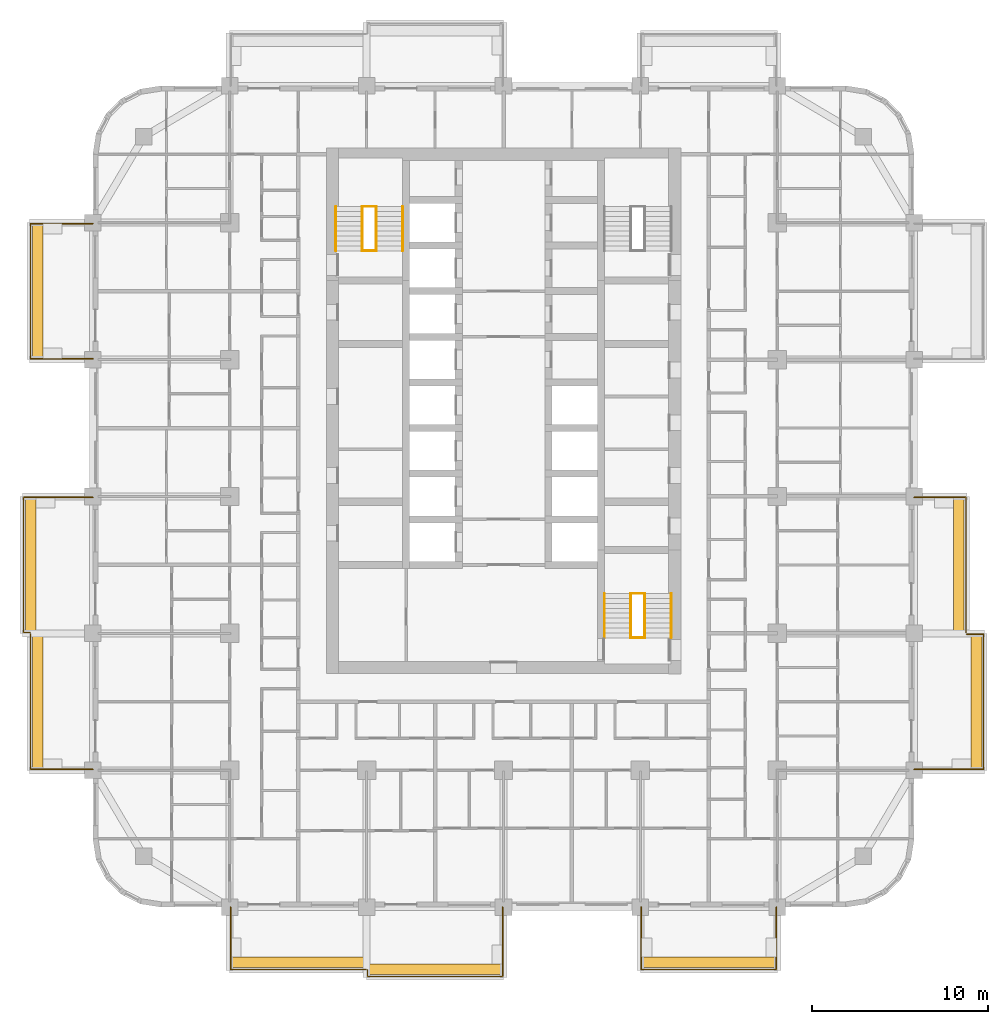
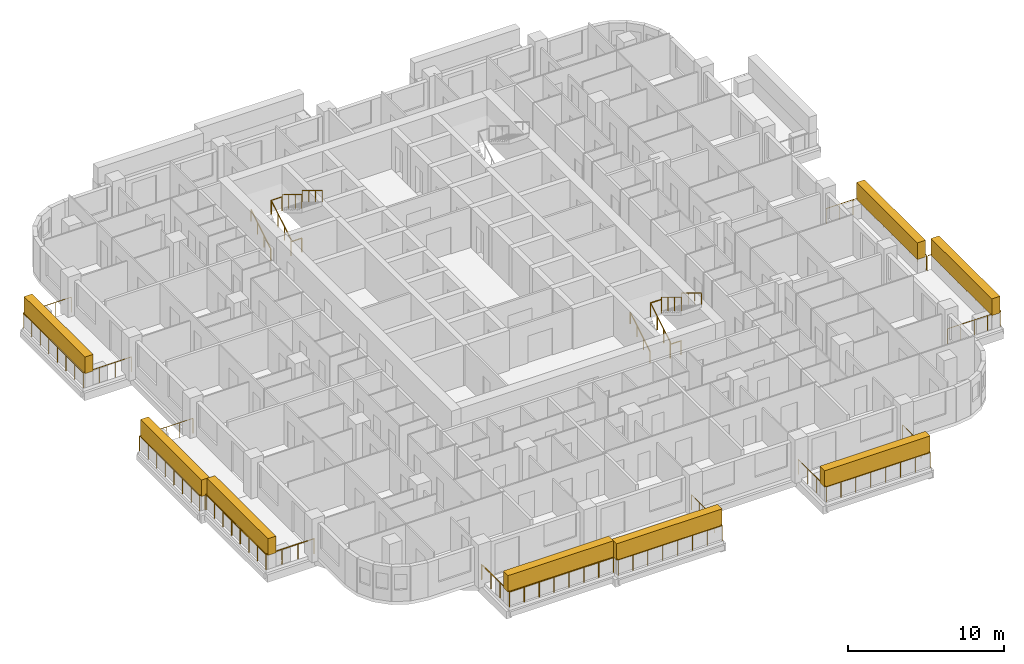
# One storey, part 17 of 18: 20 railings, 8 coverings, 2 elements without a shape of their own.
"""IFC4 building model written with IfcOpenShell, lengths in metres."""

from ifc_helpers import new_model, si_unit, direction, frame, origin, origin_2d, place, context, subcontext, project, spatial, rectangle, circle, extrude, material, layer, layer_set, type_object, element, aggregate, save


model = new_model("IFC4")

# Units and contexts
model_context = context("Model", 3, precision=1e-05, world=origin(), true_north=direction((0.0, 1.0)))
body_context = subcontext(model_context, "Body", "Model", "MODEL_VIEW")
ifc_project = project(units=[si_unit("LENGTHUNIT", "METRE"), si_unit("AREAUNIT", "SQUARE_METRE"), si_unit("VOLUMEUNIT", "CUBIC_METRE"), si_unit("PLANEANGLEUNIT", "RADIAN"), si_unit("MASSUNIT", "GRAM", prefix="KILO")], contexts=[model_context])

# Site, building, storey
site_placement = place(None, origin())
site = spatial("IfcSite", under=ifc_project, at=site_placement, CompositionType="ELEMENT")
building_placement = place(site_placement, origin())
building = spatial("IfcBuilding", under=site, at=building_placement, Name="Ludao Terraces", CompositionType="ELEMENT")
storey_placement = place(building_placement, frame((0.0, 0.0, 61.39990234375)))
storey = spatial("IfcBuildingStorey", under=building, at=storey_placement, Name="L16", CompositionType="ELEMENT", Elevation=61.39990234375)

# Railings
ifc_material_1 = material(Name="Stainless steel 304", Category="steel")
railing_type_1 = type_object("IfcRailingType", Name="ENV Balcony glass guard 1200", PredefinedType="GUARDRAIL", material=ifc_material_1)
railing_1_placement = place(storey_placement, frame((69.449951171875, 41.60009765625, 0.0)))
element("IfcRailing", 1, at=railing_1_placement, inside=storey, type_object=railing_type_1, Name="Balcony guard L16 S1", PredefinedType="GUARDRAIL", context=body_context, shape_type="SweptSolid", body=[
    extrude(circle(Radius=0.02392578125, at=origin_2d()), frame((0.0, 0.0, 1.17578125), z_axis=(0.0, -1.0, 0.0), x_axis=(1.0, 0.0, 0.0)), (0.0, 0.0, 1.0), 3.550048828125),
    extrude(circle(Radius=0.02392578125, at=origin_2d()), frame((0.0, -3.550048828125, 1.17578125), z_axis=(1.0, 0.0, 0.0), x_axis=(0.0, 1.0, 0.0)), (0.0, 0.0, 1.0), 7.699951171875),
    extrude(circle(Radius=0.02099609375, at=origin_2d()), origin(), (0.0, 0.0, 1.0), 1.15185546875),
    extrude(circle(Radius=0.02099609375, at=origin_2d()), frame((0.0, -1.183349609375, 0.0)), (0.0, 0.0, 1.0), 1.15185546875),
    extrude(circle(Radius=0.02099609375, at=origin_2d()), frame((0.0, -2.36669921875, 0.0)), (0.0, 0.0, 1.0), 1.15185546875),
    extrude(circle(Radius=0.02099609375, at=origin_2d()), frame((0.0, -3.550048828125, 0.0)), (0.0, 0.0, 1.0), 1.15185546875),
    extrude(circle(Radius=0.02099609375, at=origin_2d()), frame((1.10009765625, -3.550048828125, 0.0)), (0.0, 0.0, 1.0), 1.15185546875),
    extrude(circle(Radius=0.02099609375, at=origin_2d()), frame((2.199951171875, -3.550048828125, 0.0)), (0.0, 0.0, 1.0), 1.15185546875),
    extrude(circle(Radius=0.02099609375, at=origin_2d()), frame((3.300048828125, -3.550048828125, 0.0)), (0.0, 0.0, 1.0), 1.15185546875),
    extrude(circle(Radius=0.02099609375, at=origin_2d()), frame((4.39990234375, -3.550048828125, 0.0)), (0.0, 0.0, 1.0), 1.15185546875),
    extrude(circle(Radius=0.02099609375, at=origin_2d()), frame((5.5, -3.550048828125, 0.0)), (0.0, 0.0, 1.0), 1.15185546875),
    extrude(circle(Radius=0.02099609375, at=origin_2d()), frame((6.599853515625, -3.550048828125, 0.0)), (0.0, 0.0, 1.0), 1.15185546875),
    extrude(circle(Radius=0.02099609375, at=origin_2d()), frame((7.699951171875, -3.550048828125, 0.0)), (0.0, 0.0, 1.0), 1.15185546875),
])
railing_2_placement = place(storey_placement, frame((77.25, 38.0, 0.0)))
element("IfcRailing", 2, at=railing_2_placement, inside=storey, type_object=railing_type_1, Name="Balcony guard L16 S2", PredefinedType="GUARDRAIL", context=body_context, shape_type="SweptSolid", body=[
    extrude(circle(Radius=0.02392578125, at=origin_2d()), frame((0.0, 0.0, 1.17578125), z_axis=(0.0, -1.0, 0.0), x_axis=(1.0, 0.0, 0.0)), (0.0, 0.0, 1.0), 0.35009765625),
    extrude(circle(Radius=0.02392578125, at=origin_2d()), frame((0.0, -0.35009765625, 1.17578125), z_axis=(1.0, 0.0, 0.0), x_axis=(0.0, 1.0, 0.0)), (0.0, 0.0, 1.0), 7.699951171875),
    extrude(circle(Radius=0.02392578125, at=origin_2d()), frame((7.699951171875, -0.35009765625, 1.17578125), z_axis=(0.0, 1.0, 0.0), x_axis=(-1.0, 0.0, 0.0)), (0.0, 0.0, 1.0), 3.9501953125),
    extrude(circle(Radius=0.02099609375, at=origin_2d()), origin(), (0.0, 0.0, 1.0), 1.15185546875),
    extrude(circle(Radius=0.02099609375, at=origin_2d()), frame((0.0, -0.35009765625, 0.0)), (0.0, 0.0, 1.0), 1.15185546875),
    extrude(circle(Radius=0.02099609375, at=origin_2d()), frame((1.10009765625, -0.35009765625, 0.0)), (0.0, 0.0, 1.0), 1.15185546875),
    extrude(circle(Radius=0.02099609375, at=origin_2d()), frame((2.199951171875, -0.35009765625, 0.0)), (0.0, 0.0, 1.0), 1.15185546875),
    extrude(circle(Radius=0.02099609375, at=origin_2d()), frame((3.300048828125, -0.35009765625, 0.0)), (0.0, 0.0, 1.0), 1.15185546875),
    extrude(circle(Radius=0.02099609375, at=origin_2d()), frame((4.39990234375, -0.35009765625, 0.0)), (0.0, 0.0, 1.0), 1.15185546875),
    extrude(circle(Radius=0.02099609375, at=origin_2d()), frame((5.5, -0.35009765625, 0.0)), (0.0, 0.0, 1.0), 1.15185546875),
    extrude(circle(Radius=0.02099609375, at=origin_2d()), frame((6.599853515625, -0.35009765625, 0.0)), (0.0, 0.0, 1.0), 1.15185546875),
    extrude(circle(Radius=0.02099609375, at=origin_2d()), frame((7.699951171875, -0.35009765625, 0.0)), (0.0, 0.0, 1.0), 1.15185546875),
    extrude(circle(Radius=0.02099609375, at=origin_2d()), frame((7.699951171875, 0.637451171875, 0.0)), (0.0, 0.0, 1.0), 1.15185546875),
    extrude(circle(Radius=0.02099609375, at=origin_2d()), frame((7.699951171875, 1.625, 0.0)), (0.0, 0.0, 1.0), 1.15185546875),
    extrude(circle(Radius=0.02099609375, at=origin_2d()), frame((7.699951171875, 2.612548828125, 0.0)), (0.0, 0.0, 1.0), 1.15185546875),
    extrude(circle(Radius=0.02099609375, at=origin_2d()), frame((7.699951171875, 3.60009765625, 0.0)), (0.0, 0.0, 1.0), 1.15185546875),
])
railing_3_placement = place(storey_placement, frame((92.85009765625, 41.60009765625, 0.0)))
element("IfcRailing", 3, at=railing_3_placement, inside=storey, type_object=railing_type_1, Name="Balcony guard L16 S4", PredefinedType="GUARDRAIL", context=body_context, shape_type="SweptSolid", body=[
    extrude(circle(Radius=0.02392578125, at=origin_2d()), frame((0.0, 0.0, 1.17578125), z_axis=(0.0, -1.0, 0.0), x_axis=(1.0, 0.0, 0.0)), (0.0, 0.0, 1.0), 3.550048828125),
    extrude(circle(Radius=0.02392578125, at=origin_2d()), frame((0.0, -3.550048828125, 1.17578125), z_axis=(1.0, 0.0, 0.0), x_axis=(0.0, 1.0, 0.0)), (0.0, 0.0, 1.0), 7.699951171875),
    extrude(circle(Radius=0.02392578125, at=origin_2d()), frame((7.699951171875, -3.550048828125, 1.17578125), z_axis=(0.0, 1.0, 0.0), x_axis=(-1.0, 0.0, 0.0)), (0.0, 0.0, 1.0), 3.550048828125),
    extrude(circle(Radius=0.02099609375, at=origin_2d()), origin(), (0.0, 0.0, 1.0), 1.15185546875),
    extrude(circle(Radius=0.02099609375, at=origin_2d()), frame((0.0, -1.183349609375, 0.0)), (0.0, 0.0, 1.0), 1.15185546875),
    extrude(circle(Radius=0.02099609375, at=origin_2d()), frame((0.0, -2.36669921875, 0.0)), (0.0, 0.0, 1.0), 1.15185546875),
    extrude(circle(Radius=0.02099609375, at=origin_2d()), frame((0.0, -3.550048828125, 0.0)), (0.0, 0.0, 1.0), 1.15185546875),
    extrude(circle(Radius=0.02099609375, at=origin_2d()), frame((1.10009765625, -3.550048828125, 0.0)), (0.0, 0.0, 1.0), 1.15185546875),
    extrude(circle(Radius=0.02099609375, at=origin_2d()), frame((2.199951171875, -3.550048828125, 0.0)), (0.0, 0.0, 1.0), 1.15185546875),
    extrude(circle(Radius=0.02099609375, at=origin_2d()), frame((3.300048828125, -3.550048828125, 0.0)), (0.0, 0.0, 1.0), 1.15185546875),
    extrude(circle(Radius=0.02099609375, at=origin_2d()), frame((4.39990234375, -3.550048828125, 0.0)), (0.0, 0.0, 1.0), 1.15185546875),
    extrude(circle(Radius=0.02099609375, at=origin_2d()), frame((5.5, -3.550048828125, 0.0)), (0.0, 0.0, 1.0), 1.15185546875),
    extrude(circle(Radius=0.02099609375, at=origin_2d()), frame((6.599853515625, -3.550048828125, 0.0)), (0.0, 0.0, 1.0), 1.15185546875),
    extrude(circle(Radius=0.02099609375, at=origin_2d()), frame((7.699951171875, -3.550048828125, 0.0)), (0.0, 0.0, 1.0), 1.15185546875),
    extrude(circle(Radius=0.02099609375, at=origin_2d()), frame((7.699951171875, -2.36669921875, 0.0)), (0.0, 0.0, 1.0), 1.15185546875),
    extrude(circle(Radius=0.02099609375, at=origin_2d()), frame((7.699951171875, -1.183349609375, 0.0)), (0.0, 0.0, 1.0), 1.15185546875),
    extrude(circle(Radius=0.02099609375, at=origin_2d()), frame((7.699951171875, 0.0, 0.0)), (0.0, 0.0, 1.0), 1.15185546875),
])
railing_4_placement = place(storey_placement, frame((108.39990234375, 49.449951171875, 0.0)))
element("IfcRailing", 4, at=railing_4_placement, inside=storey, type_object=railing_type_1, Name="Balcony guard L16 E1", PredefinedType="GUARDRAIL", context=body_context, shape_type="SweptSolid", body=[
    extrude(circle(Radius=0.02392578125, at=origin_2d()), frame((0.0, 0.0, 1.17578125), z_axis=(1.0, 0.0, 0.0), x_axis=(0.0, 1.0, 0.0)), (0.0, 0.0, 1.0), 3.9501953125),
    extrude(circle(Radius=0.02392578125, at=origin_2d()), frame((3.9501953125, 0.0, 1.17578125), z_axis=(0.0, 1.0, 0.0), x_axis=(-1.0, 0.0, 0.0)), (0.0, 0.0, 1.0), 7.699951171875),
    extrude(circle(Radius=0.02392578125, at=origin_2d()), frame((3.9501953125, 7.699951171875, 1.17578125), z_axis=(-1.0, 0.0, 0.0), x_axis=(0.0, -1.0, 0.0)), (0.0, 0.0, 1.0), 0.9501953125),
    extrude(circle(Radius=0.02099609375, at=origin_2d()), origin(), (0.0, 0.0, 1.0), 1.15185546875),
    extrude(circle(Radius=0.02099609375, at=origin_2d()), frame((0.987548828125, 0.0, 0.0)), (0.0, 0.0, 1.0), 1.15185546875),
    extrude(circle(Radius=0.02099609375, at=origin_2d()), frame((1.97509765625, 0.0, 0.0)), (0.0, 0.0, 1.0), 1.15185546875),
    extrude(circle(Radius=0.02099609375, at=origin_2d()), frame((2.962646484375, 0.0, 0.0)), (0.0, 0.0, 1.0), 1.15185546875),
    extrude(circle(Radius=0.02099609375, at=origin_2d()), frame((3.9501953125, 0.0, 0.0)), (0.0, 0.0, 1.0), 1.15185546875),
    extrude(circle(Radius=0.02099609375, at=origin_2d()), frame((3.9501953125, 1.10009765625, 0.0)), (0.0, 0.0, 1.0), 1.15185546875),
    extrude(circle(Radius=0.02099609375, at=origin_2d()), frame((3.9501953125, 2.199951171875, 0.0)), (0.0, 0.0, 1.0), 1.15185546875),
    extrude(circle(Radius=0.02099609375, at=origin_2d()), frame((3.9501953125, 3.300048828125, 0.0)), (0.0, 0.0, 1.0), 1.15185546875),
    extrude(circle(Radius=0.02099609375, at=origin_2d()), frame((3.9501953125, 4.39990234375, 0.0)), (0.0, 0.0, 1.0), 1.15185546875),
    extrude(circle(Radius=0.02099609375, at=origin_2d()), frame((3.9501953125, 5.5, 0.0)), (0.0, 0.0, 1.0), 1.15185546875),
    extrude(circle(Radius=0.02099609375, at=origin_2d()), frame((3.9501953125, 6.599853515625, 0.0)), (0.0, 0.0, 1.0), 1.15185546875),
    extrude(circle(Radius=0.02099609375, at=origin_2d()), frame((3.9501953125, 7.699951171875, 0.0)), (0.0, 0.0, 1.0), 1.15185546875),
    extrude(circle(Radius=0.02099609375, at=origin_2d()), frame((3.0, 7.699951171875, 0.0)), (0.0, 0.0, 1.0), 1.15185546875),
])
railing_5_placement = place(storey_placement, frame((111.35009765625, 57.25, 0.0)))
element("IfcRailing", 5, at=railing_5_placement, inside=storey, type_object=railing_type_1, Name="Balcony guard L16 E2", PredefinedType="GUARDRAIL", context=body_context, shape_type="SweptSolid", body=[
    extrude(circle(Radius=0.02392578125, at=origin_2d()), frame((0.0, 0.0, 1.17578125), z_axis=(0.0, 1.0, 0.0), x_axis=(-1.0, 0.0, 0.0)), (0.0, 0.0, 1.0), 7.699951171875),
    extrude(circle(Radius=0.02392578125, at=origin_2d()), frame((0.0, 7.699951171875, 1.17578125), z_axis=(-1.0, 0.0, 0.0), x_axis=(0.0, -1.0, 0.0)), (0.0, 0.0, 1.0), 2.9501953125),
    extrude(circle(Radius=0.02099609375, at=origin_2d()), origin(), (0.0, 0.0, 1.0), 1.15185546875),
    extrude(circle(Radius=0.02099609375, at=origin_2d()), frame((0.0, 1.10009765625, 0.0)), (0.0, 0.0, 1.0), 1.15185546875),
    extrude(circle(Radius=0.02099609375, at=origin_2d()), frame((0.0, 2.199951171875, 0.0)), (0.0, 0.0, 1.0), 1.15185546875),
    extrude(circle(Radius=0.02099609375, at=origin_2d()), frame((0.0, 3.300048828125, 0.0)), (0.0, 0.0, 1.0), 1.15185546875),
    extrude(circle(Radius=0.02099609375, at=origin_2d()), frame((0.0, 4.39990234375, 0.0)), (0.0, 0.0, 1.0), 1.15185546875),
    extrude(circle(Radius=0.02099609375, at=origin_2d()), frame((0.0, 5.5, 0.0)), (0.0, 0.0, 1.0), 1.15185546875),
    extrude(circle(Radius=0.02099609375, at=origin_2d()), frame((0.0, 6.599853515625, 0.0)), (0.0, 0.0, 1.0), 1.15185546875),
    extrude(circle(Radius=0.02099609375, at=origin_2d()), frame((0.0, 7.699951171875, 0.0)), (0.0, 0.0, 1.0), 1.15185546875),
    extrude(circle(Radius=0.02099609375, at=origin_2d()), frame((-0.9833984375, 7.699951171875, 0.0)), (0.0, 0.0, 1.0), 1.15185546875),
    extrude(circle(Radius=0.02099609375, at=origin_2d()), frame((-1.966796875, 7.699951171875, 0.0)), (0.0, 0.0, 1.0), 1.15185546875),
    extrude(circle(Radius=0.02099609375, at=origin_2d()), frame((-2.9501953125, 7.699951171875, 0.0)), (0.0, 0.0, 1.0), 1.15185546875),
])
railing_6_placement = place(storey_placement, frame((61.60009765625, 49.449951171875, 0.0)))
element("IfcRailing", 6, at=railing_6_placement, inside=storey, type_object=railing_type_1, Name="Balcony guard L16 W1", PredefinedType="GUARDRAIL", context=body_context, shape_type="SweptSolid", body=[
    extrude(circle(Radius=0.02392578125, at=origin_2d()), frame((0.0, 0.0, 1.17578125), z_axis=(-1.0, 0.0, 0.0), x_axis=(0.0, -1.0, 0.0)), (0.0, 0.0, 1.0), 3.550048828125),
    extrude(circle(Radius=0.02392578125, at=origin_2d()), frame((-3.550048828125, 0.0, 1.17578125), z_axis=(0.0, 1.0, 0.0), x_axis=(-1.0, 0.0, 0.0)), (0.0, 0.0, 1.0), 7.699951171875),
    extrude(circle(Radius=0.02099609375, at=origin_2d()), origin(), (0.0, 0.0, 1.0), 1.15185546875),
    extrude(circle(Radius=0.02099609375, at=origin_2d()), frame((-1.183349609375, 0.0, 0.0)), (0.0, 0.0, 1.0), 1.15185546875),
    extrude(circle(Radius=0.02099609375, at=origin_2d()), frame((-2.36669921875, 0.0, 0.0)), (0.0, 0.0, 1.0), 1.15185546875),
    extrude(circle(Radius=0.02099609375, at=origin_2d()), frame((-3.550048828125, 0.0, 0.0)), (0.0, 0.0, 1.0), 1.15185546875),
    extrude(circle(Radius=0.02099609375, at=origin_2d()), frame((-3.550048828125, 1.10009765625, 0.0)), (0.0, 0.0, 1.0), 1.15185546875),
    extrude(circle(Radius=0.02099609375, at=origin_2d()), frame((-3.550048828125, 2.199951171875, 0.0)), (0.0, 0.0, 1.0), 1.15185546875),
    extrude(circle(Radius=0.02099609375, at=origin_2d()), frame((-3.550048828125, 3.300048828125, 0.0)), (0.0, 0.0, 1.0), 1.15185546875),
    extrude(circle(Radius=0.02099609375, at=origin_2d()), frame((-3.550048828125, 4.39990234375, 0.0)), (0.0, 0.0, 1.0), 1.15185546875),
    extrude(circle(Radius=0.02099609375, at=origin_2d()), frame((-3.550048828125, 5.5, 0.0)), (0.0, 0.0, 1.0), 1.15185546875),
    extrude(circle(Radius=0.02099609375, at=origin_2d()), frame((-3.550048828125, 6.599853515625, 0.0)), (0.0, 0.0, 1.0), 1.15185546875),
    extrude(circle(Radius=0.02099609375, at=origin_2d()), frame((-3.550048828125, 7.699951171875, 0.0)), (0.0, 0.0, 1.0), 1.15185546875),
])
railing_7_placement = place(storey_placement, frame((58.0, 57.25, 0.0)))
element("IfcRailing", 7, at=railing_7_placement, inside=storey, type_object=railing_type_1, Name="Balcony guard L16 W2", PredefinedType="GUARDRAIL", context=body_context, shape_type="SweptSolid", body=[
    extrude(circle(Radius=0.02392578125, at=origin_2d()), frame((0.0, 0.0, 1.17578125), z_axis=(-1.0, 0.0, 0.0), x_axis=(0.0, -1.0, 0.0)), (0.0, 0.0, 1.0), 0.35009765625),
    extrude(circle(Radius=0.02392578125, at=origin_2d()), frame((-0.35009765625, 0.0, 1.17578125), z_axis=(0.0, 1.0, 0.0), x_axis=(-1.0, 0.0, 0.0)), (0.0, 0.0, 1.0), 7.699951171875),
    extrude(circle(Radius=0.02392578125, at=origin_2d()), frame((-0.35009765625, 7.699951171875, 1.17578125), z_axis=(1.0, 0.0, 0.0), x_axis=(0.0, 1.0, 0.0)), (0.0, 0.0, 1.0), 3.9501953125),
    extrude(circle(Radius=0.02099609375, at=origin_2d()), origin(), (0.0, 0.0, 1.0), 1.15185546875),
    extrude(circle(Radius=0.02099609375, at=origin_2d()), frame((-0.35009765625, 0.0, 0.0)), (0.0, 0.0, 1.0), 1.15185546875),
    extrude(circle(Radius=0.02099609375, at=origin_2d()), frame((-0.35009765625, 1.10009765625, 0.0)), (0.0, 0.0, 1.0), 1.15185546875),
    extrude(circle(Radius=0.02099609375, at=origin_2d()), frame((-0.35009765625, 2.199951171875, 0.0)), (0.0, 0.0, 1.0), 1.15185546875),
    extrude(circle(Radius=0.02099609375, at=origin_2d()), frame((-0.35009765625, 3.300048828125, 0.0)), (0.0, 0.0, 1.0), 1.15185546875),
    extrude(circle(Radius=0.02099609375, at=origin_2d()), frame((-0.35009765625, 4.39990234375, 0.0)), (0.0, 0.0, 1.0), 1.15185546875),
    extrude(circle(Radius=0.02099609375, at=origin_2d()), frame((-0.35009765625, 5.5, 0.0)), (0.0, 0.0, 1.0), 1.15185546875),
    extrude(circle(Radius=0.02099609375, at=origin_2d()), frame((-0.35009765625, 6.599853515625, 0.0)), (0.0, 0.0, 1.0), 1.15185546875),
    extrude(circle(Radius=0.02099609375, at=origin_2d()), frame((-0.35009765625, 7.699951171875, 0.0)), (0.0, 0.0, 1.0), 1.15185546875),
    extrude(circle(Radius=0.02099609375, at=origin_2d()), frame((0.637451171875, 7.699951171875, 0.0)), (0.0, 0.0, 1.0), 1.15185546875),
    extrude(circle(Radius=0.02099609375, at=origin_2d()), frame((1.625, 7.699951171875, 0.0)), (0.0, 0.0, 1.0), 1.15185546875),
    extrude(circle(Radius=0.02099609375, at=origin_2d()), frame((2.612548828125, 7.699951171875, 0.0)), (0.0, 0.0, 1.0), 1.15185546875),
    extrude(circle(Radius=0.02099609375, at=origin_2d()), frame((3.60009765625, 7.699951171875, 0.0)), (0.0, 0.0, 1.0), 1.15185546875),
])
railing_8_placement = place(storey_placement, frame((61.60009765625, 72.85009765625, 0.0)))
element("IfcRailing", 8, at=railing_8_placement, inside=storey, type_object=railing_type_1, Name="Balcony guard L16 W4", PredefinedType="GUARDRAIL", context=body_context, shape_type="SweptSolid", body=[
    extrude(circle(Radius=0.02392578125, at=origin_2d()), frame((0.0, 0.0, 1.17578125), z_axis=(-1.0, 0.0, 0.0), x_axis=(0.0, -1.0, 0.0)), (0.0, 0.0, 1.0), 3.550048828125),
    extrude(circle(Radius=0.02392578125, at=origin_2d()), frame((-3.550048828125, 0.0, 1.17578125), z_axis=(0.0, 1.0, 0.0), x_axis=(-1.0, 0.0, 0.0)), (0.0, 0.0, 1.0), 7.699951171875),
    extrude(circle(Radius=0.02392578125, at=origin_2d()), frame((-3.550048828125, 7.699951171875, 1.17578125), z_axis=(1.0, 0.0, 0.0), x_axis=(0.0, 1.0, 0.0)), (0.0, 0.0, 1.0), 3.550048828125),
    extrude(circle(Radius=0.02099609375, at=origin_2d()), origin(), (0.0, 0.0, 1.0), 1.15185546875),
    extrude(circle(Radius=0.02099609375, at=origin_2d()), frame((-1.183349609375, 0.0, 0.0)), (0.0, 0.0, 1.0), 1.15185546875),
    extrude(circle(Radius=0.02099609375, at=origin_2d()), frame((-2.36669921875, 0.0, 0.0)), (0.0, 0.0, 1.0), 1.15185546875),
    extrude(circle(Radius=0.02099609375, at=origin_2d()), frame((-3.550048828125, 0.0, 0.0)), (0.0, 0.0, 1.0), 1.15185546875),
    extrude(circle(Radius=0.02099609375, at=origin_2d()), frame((-3.550048828125, 1.10009765625, 0.0)), (0.0, 0.0, 1.0), 1.15185546875),
    extrude(circle(Radius=0.02099609375, at=origin_2d()), frame((-3.550048828125, 2.199951171875, 0.0)), (0.0, 0.0, 1.0), 1.15185546875),
    extrude(circle(Radius=0.02099609375, at=origin_2d()), frame((-3.550048828125, 3.300048828125, 0.0)), (0.0, 0.0, 1.0), 1.15185546875),
    extrude(circle(Radius=0.02099609375, at=origin_2d()), frame((-3.550048828125, 4.39990234375, 0.0)), (0.0, 0.0, 1.0), 1.15185546875),
    extrude(circle(Radius=0.02099609375, at=origin_2d()), frame((-3.550048828125, 5.5, 0.0)), (0.0, 0.0, 1.0), 1.15185546875),
    extrude(circle(Radius=0.02099609375, at=origin_2d()), frame((-3.550048828125, 6.599853515625, 0.0)), (0.0, 0.0, 1.0), 1.15185546875),
    extrude(circle(Radius=0.02099609375, at=origin_2d()), frame((-3.550048828125, 7.699951171875, 0.0)), (0.0, 0.0, 1.0), 1.15185546875),
    extrude(circle(Radius=0.02099609375, at=origin_2d()), frame((-2.36669921875, 7.699951171875, 0.0)), (0.0, 0.0, 1.0), 1.15185546875),
    extrude(circle(Radius=0.02099609375, at=origin_2d()), frame((-1.183349609375, 7.699951171875, 0.0)), (0.0, 0.0, 1.0), 1.15185546875),
    extrude(circle(Radius=0.02099609375, at=origin_2d()), frame((0.0, 7.699951171875, 0.0)), (0.0, 0.0, 1.0), 1.15185546875),
])

# Coverings
ifc_material_2 = material(Name="Planting")
ifc_layer = layer(ifc_material_2, 0.60009765625)
ifc_layer_set = layer_set([ifc_layer], Name="ENV Planting hedge 600x1300")
covering_type = type_object("IfcCoveringType", Name="ENV Planting hedge 600x1300", PredefinedType="USERDEFINED", material=ifc_layer_set)
for number, where, z_axis, x_axis, name in (
    (9, (73.300048828125, 38.449951171875, 1.10009765625), (0.0, 0.0, 1.0), (1.0, 0.0, 0.0), "Planting hedge L16-S1"),
    (10, (81.10009765625, 38.050048828125, 1.10009765625), (0.0, 0.0, 1.0), (1.0, 0.0, 0.0), "Planting hedge L16-S2"),
    (11, (96.699951171875, 38.449951171875, 1.10009765625), (0.0, 0.0, 1.0), (1.0, 0.0, 0.0), "Planting hedge L16-S4"),
):
    element("IfcCovering", number, at=place(storey_placement, frame(where, z_axis=z_axis, x_axis=x_axis)), inside=storey, type_object=covering_type, Name=name, ObjectType="PLANTING", PredefinedType="USERDEFINED", context=body_context, shape_type="SweptSolid", body=[
        extrude(rectangle(XDim=7.800048828125, YDim=0.60009765625, at=origin_2d()), origin(), (0.0, 0.0, 1.0), 1.300048828125),
    ])
for number, where, z_axis, x_axis, name in (
    (12, (111.949951171875, 53.300048828125, 1.10009765625), (0.0, 0.0, 1.0), (1.0, 0.0, 0.0), "Planting hedge L16-E1"),
    (13, (110.949951171875, 61.10009765625, 1.10009765625), (0.0, 0.0, 1.0), (1.0, 0.0, 0.0), "Planting hedge L16-E2"),
    (14, (58.449951171875, 53.300048828125, 1.10009765625), (0.0, 0.0, 1.0), (1.0, 0.0, 0.0), "Planting hedge L16-W1"),
    (15, (58.050048828125, 61.10009765625, 1.10009765625), (0.0, 0.0, 1.0), (1.0, 0.0, 0.0), "Planting hedge L16-W2"),
    (16, (58.449951171875, 76.699951171875, 1.10009765625), (0.0, 0.0, 1.0), (1.0, 0.0, 0.0), "Planting hedge L16-W4"),
):
    element("IfcCovering", number, at=place(storey_placement, frame(where, z_axis=z_axis, x_axis=x_axis)), inside=storey, type_object=covering_type, Name=name, ObjectType="PLANTING", PredefinedType="USERDEFINED", context=body_context, shape_type="SweptSolid", body=[
        extrude(rectangle(XDim=0.60009765625, YDim=7.800048828125, at=origin_2d()), origin(), (0.0, 0.0, 1.0), 1.300048828125),
    ])

# Stair, railings
ifc_material_3 = material(Name="Concrete C40", Category="concrete")
stair_type = type_object("IfcStairType", Name="INT Stair", PredefinedType="HALF_TURN_STAIR", material=ifc_material_3)
stair_1_placement = place(storey_placement, origin())
stair_1 = element("IfcStair", 17, at=stair_1_placement, inside=storey, type_object=stair_type, Name="EXIT STAIR 1", PredefinedType="HALF_TURN_STAIR")
railing_type_2 = type_object("IfcRailingType", Name="INT Stair guard 1100", PredefinedType="GUARDRAIL", material=ifc_material_1)
railing_9_placement = place(storey_placement, frame((76.949951171875, 79.0, 0.170166015625)))
railing_9 = element("IfcRailing", 18, at=railing_9_placement, type_object=railing_type_2, Name="ST-L16-S1-R1G", PredefinedType="GUARDRAIL", context=body_context, shape_type="SweptSolid", body=[
    extrude(circle(Radius=0.02392578125, at=origin_2d()), frame((0.0, 0.0, 1.076171875), z_axis=(0.0, 0.85478489116, 0.518982456201), x_axis=(-1.0, 0.0, 0.0)), (0.0, 0.0, 1.0), 2.9482421875),
    extrude(circle(Radius=0.02099609375, at=origin_2d()), origin(), (0.0, 0.0, 1.0), 1.052001953125),
    extrude(circle(Radius=0.02099609375, at=origin_2d()), frame((0.0, 0.840087890625, 0.510009765625)), (0.0, 0.0, 1.0), 1.052001953125),
    extrude(circle(Radius=0.02099609375, at=origin_2d()), frame((0.0, 1.679931640625, 1.02001953125)), (0.0, 0.0, 1.0), 1.052001953125),
    extrude(circle(Radius=0.02099609375, at=origin_2d()), frame((0.0, 2.52001953125, 1.530029296875)), (0.0, 0.0, 1.0), 1.052001953125),
])
railing_10_placement = place(storey_placement, frame((77.75, 81.52001953125, 1.8701171875)))
railing_10 = element("IfcRailing", 19, at=railing_10_placement, type_object=railing_type_2, Name="ST-L16-S1-R2G", PredefinedType="GUARDRAIL", context=body_context, shape_type="SweptSolid", body=[
    extrude(circle(Radius=0.02392578125, at=origin_2d()), frame((0.0, 0.0, 1.076171875), z_axis=(0.0, -0.85478489116, 0.518982456201), x_axis=(1.0, 0.0, 0.0)), (0.0, 0.0, 1.0), 2.9482421875),
    extrude(circle(Radius=0.02099609375, at=origin_2d()), origin(), (0.0, 0.0, 1.0), 1.052001953125),
    extrude(circle(Radius=0.02099609375, at=origin_2d()), frame((0.0, -0.840087890625, 0.510009765625)), (0.0, 0.0, 1.0), 1.052001953125),
    extrude(circle(Radius=0.02099609375, at=origin_2d()), frame((0.0, -1.679931640625, 1.02001953125)), (0.0, 0.0, 1.0), 1.052001953125),
    extrude(circle(Radius=0.02099609375, at=origin_2d()), frame((0.0, -2.52001953125, 1.530029296875)), (0.0, 0.0, 1.0), 1.052001953125),
])
railing_11_placement = place(storey_placement, frame((76.949951171875, 81.52001953125, 1.7001953125)))
railing_11 = element("IfcRailing", 20, at=railing_11_placement, type_object=railing_type_2, Name="ST-L16-S1-E1G", PredefinedType="GUARDRAIL", context=body_context, shape_type="SweptSolid", body=[
    extrude(circle(Radius=0.02392578125, at=origin_2d()), frame((0.0, 0.0, 1.076171875), z_axis=(1.0, 0.0, 0.0), x_axis=(0.0, 1.0, 0.0)), (0.0, 0.0, 1.0), 0.800048828125),
    extrude(circle(Radius=0.02099609375, at=origin_2d()), origin(), (0.0, 0.0, 1.0), 1.052001953125),
    extrude(circle(Radius=0.02099609375, at=origin_2d()), frame((0.800048828125, 0.0, 0.0)), (0.0, 0.0, 1.0), 1.052001953125),
])
railing_12_placement = place(storey_placement, frame((76.949951171875, 79.0, 0.0)))
railing_12 = element("IfcRailing", 21, at=railing_12_placement, type_object=railing_type_2, Name="ST-L16-S1-E2G", PredefinedType="GUARDRAIL", context=body_context, shape_type="SweptSolid", body=[
    extrude(circle(Radius=0.02392578125, at=origin_2d()), frame((0.0, 0.0, 1.076171875), z_axis=(1.0, 0.0, 0.0), x_axis=(0.0, 1.0, 0.0)), (0.0, 0.0, 1.0), 0.800048828125),
    extrude(circle(Radius=0.02099609375, at=origin_2d()), origin(), (0.0, 0.0, 1.0), 1.052001953125),
    extrude(circle(Radius=0.02099609375, at=origin_2d()), frame((0.800048828125, 0.0, 0.0)), (0.0, 0.0, 1.0), 1.052001953125),
])

stair_2_placement = place(storey_placement, origin())
stair_2 = element("IfcStair", 22, at=stair_2_placement, inside=storey, type_object=stair_type, Name="EXIT STAIR 3", PredefinedType="HALF_TURN_STAIR")
railing_13_placement = place(storey_placement, frame((92.25, 56.949951171875, 0.170166015625)))
railing_13 = element("IfcRailing", 23, at=railing_13_placement, type_object=railing_type_2, Name="ST-L16-S3-R1G", PredefinedType="GUARDRAIL", context=body_context, shape_type="SweptSolid", body=[
    extrude(circle(Radius=0.02392578125, at=origin_2d()), frame((0.0, 0.0, 1.076171875), z_axis=(0.0, 0.85478489116, 0.518982456201), x_axis=(-1.0, 0.0, 0.0)), (0.0, 0.0, 1.0), 2.9482421875),
    extrude(circle(Radius=0.02099609375, at=origin_2d()), origin(), (0.0, 0.0, 1.0), 1.052001953125),
    extrude(circle(Radius=0.02099609375, at=origin_2d()), frame((0.0, 0.840087890625, 0.510009765625)), (0.0, 0.0, 1.0), 1.052001953125),
    extrude(circle(Radius=0.02099609375, at=origin_2d()), frame((0.0, 1.679931640625, 1.02001953125)), (0.0, 0.0, 1.0), 1.052001953125),
    extrude(circle(Radius=0.02099609375, at=origin_2d()), frame((0.0, 2.52001953125, 1.530029296875)), (0.0, 0.0, 1.0), 1.052001953125),
])
railing_14_placement = place(storey_placement, frame((93.050048828125, 59.469970703125, 1.8701171875)))
railing_14 = element("IfcRailing", 24, at=railing_14_placement, type_object=railing_type_2, Name="ST-L16-S3-R2G", PredefinedType="GUARDRAIL", context=body_context, shape_type="SweptSolid", body=[
    extrude(circle(Radius=0.02392578125, at=origin_2d()), frame((0.0, 0.0, 1.076171875), z_axis=(0.0, -0.85478489116, 0.518982456201), x_axis=(1.0, 0.0, 0.0)), (0.0, 0.0, 1.0), 2.9482421875),
    extrude(circle(Radius=0.02099609375, at=origin_2d()), origin(), (0.0, 0.0, 1.0), 1.052001953125),
    extrude(circle(Radius=0.02099609375, at=origin_2d()), frame((0.0, -0.840087890625, 0.510009765625)), (0.0, 0.0, 1.0), 1.052001953125),
    extrude(circle(Radius=0.02099609375, at=origin_2d()), frame((0.0, -1.679931640625, 1.02001953125)), (0.0, 0.0, 1.0), 1.052001953125),
    extrude(circle(Radius=0.02099609375, at=origin_2d()), frame((0.0, -2.52001953125, 1.530029296875)), (0.0, 0.0, 1.0), 1.052001953125),
])
railing_15_placement = place(storey_placement, frame((92.25, 59.469970703125, 1.7001953125)))
railing_15 = element("IfcRailing", 25, at=railing_15_placement, type_object=railing_type_2, Name="ST-L16-S3-E1G", PredefinedType="GUARDRAIL", context=body_context, shape_type="SweptSolid", body=[
    extrude(circle(Radius=0.02392578125, at=origin_2d()), frame((0.0, 0.0, 1.076171875), z_axis=(1.0, 0.0, 0.0), x_axis=(0.0, 1.0, 0.0)), (0.0, 0.0, 1.0), 0.800048828125),
    extrude(circle(Radius=0.02099609375, at=origin_2d()), origin(), (0.0, 0.0, 1.0), 1.052001953125),
    extrude(circle(Radius=0.02099609375, at=origin_2d()), frame((0.800048828125, 0.0, 0.0)), (0.0, 0.0, 1.0), 1.052001953125),
])
railing_16_placement = place(storey_placement, frame((92.25, 56.949951171875, 0.0)))
railing_16 = element("IfcRailing", 26, at=railing_16_placement, type_object=railing_type_2, Name="ST-L16-S3-E2G", PredefinedType="GUARDRAIL", context=body_context, shape_type="SweptSolid", body=[
    extrude(circle(Radius=0.02392578125, at=origin_2d()), frame((0.0, 0.0, 1.076171875), z_axis=(1.0, 0.0, 0.0), x_axis=(0.0, 1.0, 0.0)), (0.0, 0.0, 1.0), 0.800048828125),
    extrude(circle(Radius=0.02099609375, at=origin_2d()), origin(), (0.0, 0.0, 1.0), 1.052001953125),
    extrude(circle(Radius=0.02099609375, at=origin_2d()), frame((0.800048828125, 0.0, 0.0)), (0.0, 0.0, 1.0), 1.052001953125),
])

# Railing
railing_type_3 = type_object("IfcRailingType", Name="INT Stair handrail 900", PredefinedType="HANDRAIL", material=ifc_material_1)
railing_17_placement = place(storey_placement, frame((75.449951171875, 79.0, 0.170166015625)))
railing_17 = element("IfcRailing", 27, at=railing_17_placement, type_object=railing_type_3, Name="ST-L16-S1-R1H", PredefinedType="HANDRAIL", context=body_context, shape_type="SweptSolid", body=[
    extrude(circle(Radius=0.02392578125, at=origin_2d()), frame((0.0, 0.0, 0.8759765625), z_axis=(0.0, 0.85478489116, 0.518982456201), x_axis=(-1.0, 0.0, 0.0)), (0.0, 0.0, 1.0), 2.9482421875),
    extrude(circle(Radius=0.02099609375, at=origin_2d()), origin(), (0.0, 0.0, 1.0), 0.851806640625),
    extrude(circle(Radius=0.02099609375, at=origin_2d()), frame((0.0, 0.840087890625, 0.510009765625)), (0.0, 0.0, 1.0), 0.851806640625),
    extrude(circle(Radius=0.02099609375, at=origin_2d()), frame((0.0, 1.679931640625, 1.02001953125)), (0.0, 0.0, 1.0), 0.851806640625),
    extrude(circle(Radius=0.02099609375, at=origin_2d()), frame((0.0, 2.52001953125, 1.530029296875)), (0.0, 0.0, 1.0), 0.851806640625),
])

railing_18_placement = place(storey_placement, frame((79.25, 81.52001953125, 1.8701171875)))
railing_18 = element("IfcRailing", 28, at=railing_18_placement, type_object=railing_type_3, Name="ST-L16-S1-R2H", PredefinedType="HANDRAIL", context=body_context, shape_type="SweptSolid", body=[
    extrude(circle(Radius=0.02392578125, at=origin_2d()), frame((0.0, 0.0, 0.8759765625), z_axis=(0.0, -0.85478489116, 0.518982456201), x_axis=(1.0, 0.0, 0.0)), (0.0, 0.0, 1.0), 2.9482421875),
    extrude(circle(Radius=0.02099609375, at=origin_2d()), origin(), (0.0, 0.0, 1.0), 0.851806640625),
    extrude(circle(Radius=0.02099609375, at=origin_2d()), frame((0.0, -0.840087890625, 0.510009765625)), (0.0, 0.0, 1.0), 0.851806640625),
    extrude(circle(Radius=0.02099609375, at=origin_2d()), frame((0.0, -1.679931640625, 1.02001953125)), (0.0, 0.0, 1.0), 0.851806640625),
    extrude(circle(Radius=0.02099609375, at=origin_2d()), frame((0.0, -2.52001953125, 1.530029296875)), (0.0, 0.0, 1.0), 0.851806640625),
])

aggregate(stair_1, [railing_9, railing_17, railing_10, railing_18, railing_11, railing_12])

railing_19_placement = place(storey_placement, frame((90.75, 56.949951171875, 0.170166015625)))
railing_19 = element("IfcRailing", 29, at=railing_19_placement, type_object=railing_type_3, Name="ST-L16-S3-R1H", PredefinedType="HANDRAIL", context=body_context, shape_type="SweptSolid", body=[
    extrude(circle(Radius=0.02392578125, at=origin_2d()), frame((0.0, 0.0, 0.8759765625), z_axis=(0.0, 0.85478489116, 0.518982456201), x_axis=(-1.0, 0.0, 0.0)), (0.0, 0.0, 1.0), 2.9482421875),
    extrude(circle(Radius=0.02099609375, at=origin_2d()), origin(), (0.0, 0.0, 1.0), 0.851806640625),
    extrude(circle(Radius=0.02099609375, at=origin_2d()), frame((0.0, 0.840087890625, 0.510009765625)), (0.0, 0.0, 1.0), 0.851806640625),
    extrude(circle(Radius=0.02099609375, at=origin_2d()), frame((0.0, 1.679931640625, 1.02001953125)), (0.0, 0.0, 1.0), 0.851806640625),
    extrude(circle(Radius=0.02099609375, at=origin_2d()), frame((0.0, 2.52001953125, 1.530029296875)), (0.0, 0.0, 1.0), 0.851806640625),
])

railing_20_placement = place(storey_placement, frame((94.550048828125, 59.469970703125, 1.8701171875)))
railing_20 = element("IfcRailing", 30, at=railing_20_placement, type_object=railing_type_3, Name="ST-L16-S3-R2H", PredefinedType="HANDRAIL", context=body_context, shape_type="SweptSolid", body=[
    extrude(circle(Radius=0.02392578125, at=origin_2d()), frame((0.0, 0.0, 0.8759765625), z_axis=(0.0, -0.85478489116, 0.518982456201), x_axis=(1.0, 0.0, 0.0)), (0.0, 0.0, 1.0), 2.9482421875),
    extrude(circle(Radius=0.02099609375, at=origin_2d()), origin(), (0.0, 0.0, 1.0), 0.851806640625),
    extrude(circle(Radius=0.02099609375, at=origin_2d()), frame((0.0, -0.840087890625, 0.510009765625)), (0.0, 0.0, 1.0), 0.851806640625),
    extrude(circle(Radius=0.02099609375, at=origin_2d()), frame((0.0, -1.679931640625, 1.02001953125)), (0.0, 0.0, 1.0), 0.851806640625),
    extrude(circle(Radius=0.02099609375, at=origin_2d()), frame((0.0, -2.52001953125, 1.530029296875)), (0.0, 0.0, 1.0), 0.851806640625),
])

aggregate(stair_2, [railing_13, railing_19, railing_14, railing_20, railing_15, railing_16])

save(model, "model.ifc")
